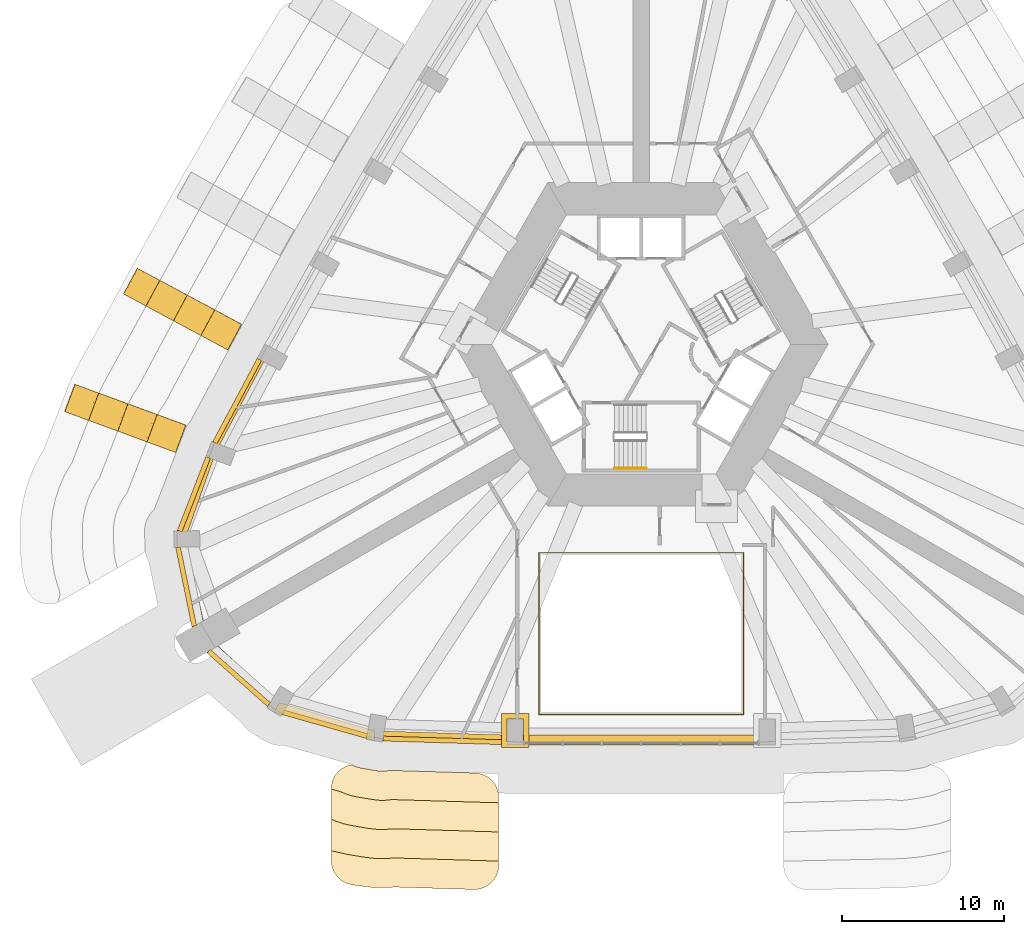
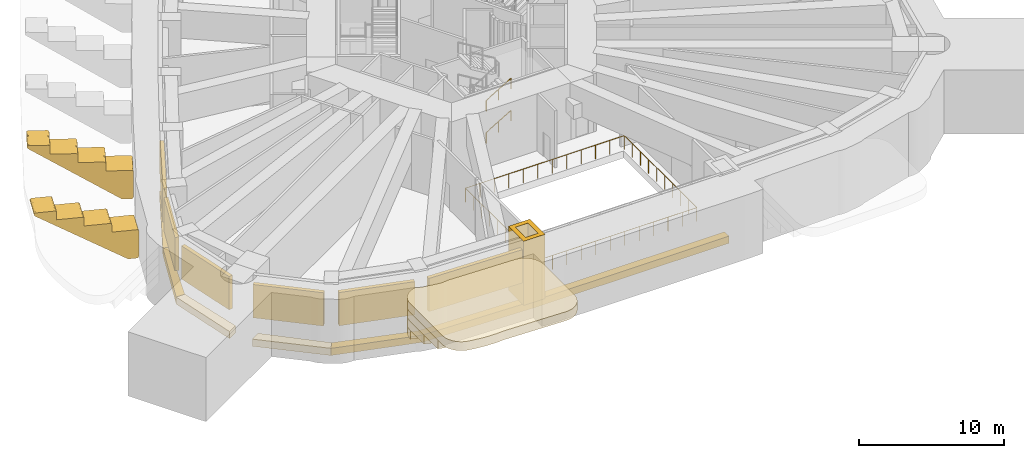
# One storey, part 11 of 16: 14 coverings, 6 shading devices, 3 railings.
"""IFC4 building model written with IfcOpenShell, lengths in metres."""

from ifc_helpers import new_model, si_unit, direction, frame, origin, origin_2d, place, context, subcontext, project, spatial, polyline, rectangle, circle, outline, extrude, material, layer, layer_set, type_object, element, save


model = new_model("IFC4")

# Units and contexts
model_context = context("Model", 3, precision=1e-05, world=origin(), true_north=direction((0.0, 1.0)))
body_context = subcontext(model_context, "Body", "Model", "MODEL_VIEW")
ifc_project = project(units=[si_unit("LENGTHUNIT", "METRE"), si_unit("AREAUNIT", "SQUARE_METRE"), si_unit("VOLUMEUNIT", "CUBIC_METRE"), si_unit("PLANEANGLEUNIT", "RADIAN"), si_unit("MASSUNIT", "GRAM", prefix="KILO")], contexts=[model_context])

# Site, building, storey
site_placement = place(None, origin())
site = spatial("IfcSite", under=ifc_project, at=site_placement, CompositionType="ELEMENT")
building_placement = place(site_placement, origin())
building = spatial("IfcBuilding", under=site, at=building_placement, Name="Entoto Arch Interchange Tower", CompositionType="ELEMENT")
storey_placement = place(building_placement, frame((0.0, 0.0, 281.0)))
storey = spatial("IfcBuildingStorey", under=building, at=storey_placement, Name="L65", CompositionType="ELEMENT", Elevation=281.0)

# Railing
ifc_material_1 = material(Name="Stainless steel 1.4301", Category="steel")
railing_type_1 = type_object("IfcRailingType", Name="ATRIUM GUARD 1200 STEEL AND GLASS", PredefinedType="GUARDRAIL", material=ifc_material_1)
railing_placement = place(storey_placement, frame((6.320068359375, -20.3740234375, 0.0)))
element("IfcRailing", 1, at=railing_placement, inside=storey, type_object=railing_type_1, Name="Atrium guard L65", PredefinedType="GUARDRAIL", context=body_context, shape_type="SweptSolid", body=[
    extrude(circle(Radius=0.02392578125, at=origin_2d()), frame((0.0, 0.0, 1.17578125), z_axis=(-1.0, 0.0, 0.0), x_axis=(0.0, -1.0, 0.0)), (0.0, 0.0, 1.0), 12.64013671875),
    extrude(circle(Radius=0.02392578125, at=origin_2d()), frame((-12.64013671875, 0.0, 1.17578125), z_axis=(0.0, 1.0, 0.0), x_axis=(-1.0, 0.0, 0.0)), (0.0, 0.0, 1.0), 9.994140625),
    extrude(circle(Radius=0.02392578125, at=origin_2d()), frame((-12.64013671875, 9.994140625, 1.17578125), z_axis=(1.0, 0.0, 0.0), x_axis=(0.0, 1.0, 0.0)), (0.0, 0.0, 1.0), 12.64013671875),
    extrude(circle(Radius=0.02392578125, at=origin_2d()), frame((0.0, 9.994140625, 1.17578125), z_axis=(0.0, -1.0, 0.0), x_axis=(1.0, 0.0, 0.0)), (0.0, 0.0, 1.0), 9.994140625),
    extrude(circle(Radius=0.02099609375, at=origin_2d()), origin(), (0.0, 0.0, 1.0), 1.15185546875),
    extrude(circle(Radius=0.02099609375, at=origin_2d()), frame((-1.149169921875, 0.0, 0.0)), (0.0, 0.0, 1.0), 1.15185546875),
    extrude(circle(Radius=0.02099609375, at=origin_2d()), frame((-2.298095703125, 0.0, 0.0)), (0.0, 0.0, 1.0), 1.15185546875),
    extrude(circle(Radius=0.02099609375, at=origin_2d()), frame((-3.447265625, 0.0, 0.0)), (0.0, 0.0, 1.0), 1.15185546875),
    extrude(circle(Radius=0.02099609375, at=origin_2d()), frame((-4.596435546875, 0.0, 0.0)), (0.0, 0.0, 1.0), 1.15185546875),
    extrude(circle(Radius=0.02099609375, at=origin_2d()), frame((-5.74560546875, 0.0, 0.0)), (0.0, 0.0, 1.0), 1.15185546875),
    extrude(circle(Radius=0.02099609375, at=origin_2d()), frame((-6.89453125, 0.0, 0.0)), (0.0, 0.0, 1.0), 1.15185546875),
    extrude(circle(Radius=0.02099609375, at=origin_2d()), frame((-8.043701171875, 0.0, 0.0)), (0.0, 0.0, 1.0), 1.15185546875),
    extrude(circle(Radius=0.02099609375, at=origin_2d()), frame((-9.19287109375, 0.0, 0.0)), (0.0, 0.0, 1.0), 1.15185546875),
    extrude(circle(Radius=0.02099609375, at=origin_2d()), frame((-10.342041015625, 0.0, 0.0)), (0.0, 0.0, 1.0), 1.15185546875),
    extrude(circle(Radius=0.02099609375, at=origin_2d()), frame((-11.490966796875, 0.0, 0.0)), (0.0, 0.0, 1.0), 1.15185546875),
    extrude(circle(Radius=0.02099609375, at=origin_2d()), frame((-12.64013671875, 0.0, 0.0)), (0.0, 0.0, 1.0), 1.15185546875),
    extrude(circle(Radius=0.02099609375, at=origin_2d()), frame((-12.64013671875, 1.1103515625, 0.0)), (0.0, 0.0, 1.0), 1.15185546875),
    extrude(circle(Radius=0.02099609375, at=origin_2d()), frame((-12.64013671875, 2.220947265625, 0.0)), (0.0, 0.0, 1.0), 1.15185546875),
    extrude(circle(Radius=0.02099609375, at=origin_2d()), frame((-12.64013671875, 3.331298828125, 0.0)), (0.0, 0.0, 1.0), 1.15185546875),
    extrude(circle(Radius=0.02099609375, at=origin_2d()), frame((-12.64013671875, 4.44189453125, 0.0)), (0.0, 0.0, 1.0), 1.15185546875),
    extrude(circle(Radius=0.02099609375, at=origin_2d()), frame((-12.64013671875, 5.55224609375, 0.0)), (0.0, 0.0, 1.0), 1.15185546875),
    extrude(circle(Radius=0.02099609375, at=origin_2d()), frame((-12.64013671875, 6.662841796875, 0.0)), (0.0, 0.0, 1.0), 1.15185546875),
    extrude(circle(Radius=0.02099609375, at=origin_2d()), frame((-12.64013671875, 7.773193359375, 0.0)), (0.0, 0.0, 1.0), 1.15185546875),
    extrude(circle(Radius=0.02099609375, at=origin_2d()), frame((-12.64013671875, 8.8837890625, 0.0)), (0.0, 0.0, 1.0), 1.15185546875),
    extrude(circle(Radius=0.02099609375, at=origin_2d()), frame((-12.64013671875, 9.994140625, 0.0)), (0.0, 0.0, 1.0), 1.15185546875),
    extrude(circle(Radius=0.02099609375, at=origin_2d()), frame((-11.490966796875, 9.994140625, 0.0)), (0.0, 0.0, 1.0), 1.15185546875),
    extrude(circle(Radius=0.02099609375, at=origin_2d()), frame((-10.342041015625, 9.994140625, 0.0)), (0.0, 0.0, 1.0), 1.15185546875),
    extrude(circle(Radius=0.02099609375, at=origin_2d()), frame((-9.19287109375, 9.994140625, 0.0)), (0.0, 0.0, 1.0), 1.15185546875),
    extrude(circle(Radius=0.02099609375, at=origin_2d()), frame((-8.043701171875, 9.994140625, 0.0)), (0.0, 0.0, 1.0), 1.15185546875),
    extrude(circle(Radius=0.02099609375, at=origin_2d()), frame((-6.89453125, 9.994140625, 0.0)), (0.0, 0.0, 1.0), 1.15185546875),
    extrude(circle(Radius=0.02099609375, at=origin_2d()), frame((-5.74560546875, 9.994140625, 0.0)), (0.0, 0.0, 1.0), 1.15185546875),
    extrude(circle(Radius=0.02099609375, at=origin_2d()), frame((-4.596435546875, 9.994140625, 0.0)), (0.0, 0.0, 1.0), 1.15185546875),
    extrude(circle(Radius=0.02099609375, at=origin_2d()), frame((-3.447265625, 9.994140625, 0.0)), (0.0, 0.0, 1.0), 1.15185546875),
    extrude(circle(Radius=0.02099609375, at=origin_2d()), frame((-2.298095703125, 9.994140625, 0.0)), (0.0, 0.0, 1.0), 1.15185546875),
    extrude(circle(Radius=0.02099609375, at=origin_2d()), frame((-1.149169921875, 9.994140625, 0.0)), (0.0, 0.0, 1.0), 1.15185546875),
    extrude(circle(Radius=0.02099609375, at=origin_2d()), frame((0.0, 9.994140625, 0.0)), (0.0, 0.0, 1.0), 1.15185546875),
    extrude(circle(Radius=0.02099609375, at=origin_2d()), frame((0.0, 8.8837890625, 0.0)), (0.0, 0.0, 1.0), 1.15185546875),
    extrude(circle(Radius=0.02099609375, at=origin_2d()), frame((0.0, 7.773193359375, 0.0)), (0.0, 0.0, 1.0), 1.15185546875),
    extrude(circle(Radius=0.02099609375, at=origin_2d()), frame((0.0, 6.662841796875, 0.0)), (0.0, 0.0, 1.0), 1.15185546875),
    extrude(circle(Radius=0.02099609375, at=origin_2d()), frame((0.0, 5.55224609375, 0.0)), (0.0, 0.0, 1.0), 1.15185546875),
    extrude(circle(Radius=0.02099609375, at=origin_2d()), frame((0.0, 4.44189453125, 0.0)), (0.0, 0.0, 1.0), 1.15185546875),
    extrude(circle(Radius=0.02099609375, at=origin_2d()), frame((0.0, 3.331298828125, 0.0)), (0.0, 0.0, 1.0), 1.15185546875),
    extrude(circle(Radius=0.02099609375, at=origin_2d()), frame((0.0, 2.220947265625, 0.0)), (0.0, 0.0, 1.0), 1.15185546875),
    extrude(circle(Radius=0.02099609375, at=origin_2d()), frame((0.0, 1.1103515625, 0.0)), (0.0, 0.0, 1.0), 1.15185546875),
])

# Shading devices
ifc_material_2 = material(Name="Aluminium, anodised", Category="aluminium")
ifc_layer = layer(ifc_material_2, 0.300048828125)
ifc_layer_set = layer_set([ifc_layer], Name="Aluminium, anodised")
shading_device_type = type_object("IfcShadingDeviceType", Name="PLANT LOUVRE ALUMINIUM", PredefinedType="JALOUSIE", material=ifc_layer_set)
shading_device_1_placement = place(storey_placement, frame((-12.123046875, -21.972900390625, 1.2001953125), z_axis=(0.0, 0.0, 1.0), x_axis=(0.999541022965, -0.030294280171, 0.0)))
element("IfcShadingDevice", 2, at=shading_device_1_placement, inside=storey, type_object=shading_device_type, Name="Plant louvre S-01 L65", PredefinedType="JALOUSIE", context=body_context, shape_type="SweptSolid", body=[
    extrude(rectangle(XDim=7.658935546875, YDim=0.300048828125, at=origin_2d()), origin(), (0.0, 0.0, 1.0), 2.800048828125),
])
shading_device_2_placement = place(storey_placement, frame((-24.9609375, -1.008056640625, 1.2001953125), z_axis=(0.0, 0.0, 1.0), x_axis=(-0.470780924807, -0.882250146408, 0.0)))
element("IfcShadingDevice", 3, at=shading_device_2_placement, inside=storey, type_object=shading_device_type, Name="Plant louvre NW-05 L65", PredefinedType="JALOUSIE", context=body_context, shape_type="SweptSolid", body=[
    extrude(rectangle(XDim=5.8330078125, YDim=0.300048828125, at=origin_2d()), origin(), (0.0, 0.0, 1.0), 2.800048828125),
])
shading_device_3_placement = place(storey_placement, frame((-27.6298828125, -6.763916015625, 1.2001953125), z_axis=(0.0, 0.0, 1.0), x_axis=(-0.360257323855, -0.932852968376, 0.0)))
element("IfcShadingDevice", 4, at=shading_device_3_placement, inside=storey, type_object=shading_device_type, Name="Plant louvre SW-01 L65", PredefinedType="JALOUSIE", context=body_context, shape_type="SweptSolid", body=[
    extrude(rectangle(XDim=4.8740234375, YDim=0.300048828125, at=origin_2d()), origin(), (0.0, 0.0, 1.0), 2.800048828125),
])
shading_device_4_placement = place(storey_placement, frame((-28.112060546875, -12.471923828125, 1.2001953125), z_axis=(0.0, 0.0, 1.0), x_axis=(0.20090694995, -0.979610329397, 0.0)))
element("IfcShadingDevice", 5, at=shading_device_4_placement, inside=storey, type_object=shading_device_type, Name="Plant louvre SW-02 L65", PredefinedType="JALOUSIE", context=body_context, shape_type="SweptSolid", body=[
    extrude(rectangle(XDim=4.967041015625, YDim=0.300048828125, at=origin_2d()), origin(), (0.0, 0.0, 1.0), 2.800048828125),
])
shading_device_5_placement = place(storey_placement, frame((-24.85693359375, -18.110107421875, 1.2001953125), z_axis=(0.0, 0.0, 1.0), x_axis=(0.747937126477, -0.663769579626, 0.0)))
element("IfcShadingDevice", 6, at=shading_device_5_placement, inside=storey, type_object=shading_device_type, Name="Plant louvre SW-03 L65", PredefinedType="JALOUSIE", context=body_context, shape_type="SweptSolid", body=[
    extrude(rectangle(XDim=4.966064453125, YDim=0.300048828125, at=origin_2d()), origin(), (0.0, 0.0, 1.0), 2.800048828125),
])
shading_device_6_placement = place(storey_placement, frame((-19.529052734375, -20.969970703125, 1.2001953125), z_axis=(0.0, 0.0, 1.0), x_axis=(0.961989550929, -0.273086257259, 0.0)))
element("IfcShadingDevice", 7, at=shading_device_6_placement, inside=storey, type_object=shading_device_type, Name="Plant louvre SW-04 L65", PredefinedType="JALOUSIE", context=body_context, shape_type="SweptSolid", body=[
    extrude(rectangle(XDim=5.386962890625, YDim=0.300048828125, at=origin_2d()), origin(), (0.0, 0.0, 1.0), 2.800048828125),
])

# Coverings
ifc_material_3 = material(Name="Board-marked precast concrete C50/60", Category="concrete")
covering_type_1 = type_object("IfcCoveringType", Name="PRECAST FRAME COURSE", PredefinedType="CLADDING", material=ifc_material_3)
covering_1_placement = place(storey_placement, frame((0.0, 0.0, 4.050048828125)))
element("IfcCovering", 8, at=covering_1_placement, inside=storey, type_object=covering_type_1, Name="Cantilever cornice L65 1", PredefinedType="CLADDING", context=body_context, shape_type="SweptSolid", body=[
    extrude(outline(polyline([(-9.695068359375, -24.10693359375), (-9.56591796875, -24.172119140625), (-9.443115234375, -24.2490234375), (-9.3291015625, -24.3369140625), (-9.222900390625, -24.43505859375), (-9.1279296875, -24.5439453125), (-9.04296875, -24.660888671875), (-8.969970703125, -24.784912109375), (-8.909912109375, -24.916015625), (-8.862060546875, -25.052001953125), (-8.827880859375, -25.193115234375), (-8.806884765625, -25.3359375), (-8.800048828125, -25.47998046875), (-8.800048828125, -29.681884765625), (-8.80810546875, -29.83203125), (-8.830078125, -29.97998046875), (-8.866943359375, -30.125), (-8.9189453125, -30.26611328125), (-8.98388671875, -30.40087890625), (-9.06201171875, -30.529052734375), (-9.153076171875, -30.64892578125), (-9.256103515625, -30.758056640625), (-9.367919921875, -30.85693359375), (-9.489990234375, -30.944091796875), (-9.62109375, -31.01904296875), (-9.758056640625, -31.080078125), (-9.89990234375, -31.126953125), (-10.0458984375, -31.159912109375), (-10.195068359375, -31.177978515625), (-10.344970703125, -31.180908203125), (-15.15087890625, -31.034912109375), (-15.198974609375, -31.033935546875), (-15.239990234375, -31.032958984375), (-15.280029296875, -31.035888671875), (-15.656982421875, -31.06494140625), (-15.803955078125, -31.069091796875), (-16.135986328125, -31.06298828125), (-16.5400390625, -31.053955078125), (-16.68603515625, -31.0439453125), (-17.4541015625, -30.951904296875), (-17.527099609375, -30.94189453125), (-17.89599609375, -30.87890625), (-18.04296875, -30.846923828125), (-18.18603515625, -30.800048828125), (-18.322998046875, -30.739013671875), (-18.4541015625, -30.6640625), (-18.575927734375, -30.576904296875), (-18.68896484375, -30.47802734375), (-18.7919921875, -30.367919921875), (-18.883056640625, -30.2490234375), (-18.9609375, -30.12109375), (-19.027099609375, -29.986083984375), (-19.077880859375, -29.844970703125), (-19.115966796875, -29.698974609375), (-19.137939453125, -29.550048828125), (-19.14599609375, -29.39990234375), (-19.14599609375, -24.951904296875), (-19.137939453125, -24.802001953125), (-19.115966796875, -24.653076171875), (-19.077880859375, -24.507080078125), (-19.02587890625, -24.365966796875), (-18.9609375, -24.22998046875), (-18.882080078125, -24.10205078125), (-18.7900390625, -23.98193359375), (-18.68701171875, -23.873046875), (-18.573974609375, -23.77392578125), (-18.450927734375, -23.68603515625), (-18.320068359375, -23.612060546875), (-18.18310546875, -23.551025390625), (-18.0390625, -23.5048828125), (-17.89208984375, -23.471923828125), (-17.87109375, -23.468994140625), (-17.89892578125, -23.458984375), (-17.863037109375, -23.468994140625), (-17.77587890625, -23.51904296875), (-17.614013671875, -23.589111328125), (-17.446044921875, -23.64404296875), (-17.27392578125, -23.681884765625), (-16.2880859375, -23.84912109375), (-16.112060546875, -23.8701171875), (-15.93603515625, -23.8740234375), (-15.760009765625, -23.860107421875), (-15.5859375, -23.8291015625), (-15.552978515625, -23.820068359375), (-10.2548828125, -23.97998046875), (-10.111083984375, -23.991943359375), (-9.968017578125, -24.01708984375), (-9.8291015625, -24.055908203125), (-9.695068359375, -24.10693359375)])), origin(), (0.0, 0.0, 1.0), 0.75),
])
covering_2_placement = place(storey_placement, frame((0.0, 0.0, 3.300048828125)))
element("IfcCovering", 9, at=covering_2_placement, inside=storey, type_object=covering_type_1, Name="Cantilever cornice L65 2", PredefinedType="CLADDING", context=body_context, shape_type="SweptSolid", body=[
    extrude(outline(polyline([(-9.695068359375, -24.10693359375), (-9.56591796875, -24.172119140625), (-9.443115234375, -24.2490234375), (-9.3291015625, -24.3369140625), (-9.222900390625, -24.43505859375), (-9.1279296875, -24.5439453125), (-9.04296875, -24.660888671875), (-8.969970703125, -24.784912109375), (-8.909912109375, -24.916015625), (-8.862060546875, -25.052001953125), (-8.827880859375, -25.193115234375), (-8.806884765625, -25.3359375), (-8.800048828125, -25.47998046875), (-8.800048828125, -29.427001953125), (-15.261962890625, -29.23095703125), (-15.781982421875, -29.27197265625), (-16.488037109375, -29.257080078125), (-17.18994140625, -29.173095703125), (-18.176025390625, -29.006103515625), (-19.008056640625, -28.81396484375), (-19.14599609375, -28.77294921875), (-19.14599609375, -24.951904296875), (-19.137939453125, -24.802001953125), (-19.115966796875, -24.653076171875), (-19.077880859375, -24.507080078125), (-19.02587890625, -24.365966796875), (-18.9609375, -24.22998046875), (-18.882080078125, -24.10205078125), (-18.7900390625, -23.98193359375), (-18.68701171875, -23.873046875), (-18.573974609375, -23.77392578125), (-18.450927734375, -23.68603515625), (-18.320068359375, -23.612060546875), (-18.18310546875, -23.551025390625), (-18.0390625, -23.5048828125), (-17.89208984375, -23.471923828125), (-17.87109375, -23.468994140625), (-17.89892578125, -23.458984375), (-17.863037109375, -23.468994140625), (-17.77587890625, -23.51904296875), (-17.614013671875, -23.589111328125), (-17.446044921875, -23.64404296875), (-17.27392578125, -23.681884765625), (-16.2880859375, -23.84912109375), (-16.112060546875, -23.8701171875), (-15.93603515625, -23.8740234375), (-15.760009765625, -23.860107421875), (-15.5859375, -23.8291015625), (-15.552978515625, -23.820068359375), (-10.2548828125, -23.97998046875), (-10.2548828125, -23.97998046875), (-10.111083984375, -23.991943359375), (-9.968017578125, -24.01708984375), (-9.8291015625, -24.055908203125), (-9.695068359375, -24.10693359375)])), origin(), (0.0, 0.0, 1.0), 0.75),
])
covering_3_placement = place(storey_placement, frame((0.0, 0.0, 2.550048828125)))
element("IfcCovering", 10, at=covering_3_placement, inside=storey, type_object=covering_type_1, Name="Cantilever cornice L65 3", PredefinedType="CLADDING", context=body_context, shape_type="SweptSolid", body=[
    extrude(outline(polyline([(-9.695068359375, -24.10693359375), (-9.56591796875, -24.172119140625), (-9.443115234375, -24.2490234375), (-9.3291015625, -24.3369140625), (-9.222900390625, -24.43505859375), (-9.1279296875, -24.5439453125), (-9.04296875, -24.660888671875), (-8.969970703125, -24.784912109375), (-8.909912109375, -24.916015625), (-8.862060546875, -25.052001953125), (-8.827880859375, -25.193115234375), (-8.806884765625, -25.3359375), (-8.800048828125, -25.47998046875), (-8.800048828125, -27.6259765625), (-15.2939453125, -27.428955078125), (-15.304931640625, -27.430908203125), (-15.8330078125, -27.471923828125), (-16.363037109375, -27.4609375), (-16.888916015625, -27.39892578125), (-17.875, -27.23193359375), (-18.39208984375, -27.117919921875), (-18.89599609375, -26.952880859375), (-19.1220703125, -26.85400390625), (-19.14599609375, -26.847900390625), (-19.14599609375, -24.951904296875), (-19.137939453125, -24.802001953125), (-19.115966796875, -24.653076171875), (-19.077880859375, -24.507080078125), (-19.02587890625, -24.365966796875), (-18.9609375, -24.22998046875), (-18.882080078125, -24.10205078125), (-18.7900390625, -23.98193359375), (-18.68701171875, -23.873046875), (-18.573974609375, -23.77392578125), (-18.450927734375, -23.68603515625), (-18.320068359375, -23.612060546875), (-18.18310546875, -23.551025390625), (-18.0390625, -23.5048828125), (-17.89208984375, -23.471923828125), (-17.87109375, -23.468994140625), (-17.89892578125, -23.458984375), (-17.863037109375, -23.468994140625), (-17.77587890625, -23.51904296875), (-17.614013671875, -23.589111328125), (-17.446044921875, -23.64404296875), (-17.27392578125, -23.681884765625), (-16.2880859375, -23.84912109375), (-16.112060546875, -23.8701171875), (-15.93603515625, -23.8740234375), (-15.760009765625, -23.860107421875), (-15.5859375, -23.8291015625), (-15.552978515625, -23.820068359375), (-10.2548828125, -23.97998046875), (-10.2548828125, -23.97998046875), (-10.111083984375, -23.991943359375), (-9.968017578125, -24.01708984375), (-9.8291015625, -24.055908203125), (-9.695068359375, -24.10693359375)])), origin(), (0.0, 0.0, 1.0), 0.75),
])
covering_4_placement = place(storey_placement, frame((0.0, 0.0, 1.800048828125)))
element("IfcCovering", 11, at=covering_4_placement, inside=storey, type_object=covering_type_1, Name="Cantilever cornice L65 4", PredefinedType="CLADDING", context=body_context, shape_type="SweptSolid", body=[
    extrude(outline(polyline([(-9.695068359375, -24.10693359375), (-9.56591796875, -24.172119140625), (-9.443115234375, -24.2490234375), (-9.3291015625, -24.3369140625), (-9.222900390625, -24.43505859375), (-9.1279296875, -24.5439453125), (-9.04296875, -24.660888671875), (-8.969970703125, -24.784912109375), (-8.909912109375, -24.916015625), (-8.862060546875, -25.052001953125), (-8.827880859375, -25.193115234375), (-8.806884765625, -25.3359375), (-8.800048828125, -25.47998046875), (-8.800048828125, -25.824951171875), (-15.4150390625, -25.625), (-15.531982421875, -25.64599609375), (-15.884033203125, -25.673095703125), (-16.238037109375, -25.666015625), (-16.587890625, -25.6240234375), (-17.573974609375, -25.45703125), (-17.9189453125, -25.381103515625), (-18.2548828125, -25.27099609375), (-18.528076171875, -25.152099609375), (-19.14599609375, -24.97607421875), (-19.14599609375, -24.951904296875), (-19.137939453125, -24.802001953125), (-19.115966796875, -24.653076171875), (-19.077880859375, -24.507080078125), (-19.02587890625, -24.365966796875), (-18.9609375, -24.22998046875), (-18.882080078125, -24.10205078125), (-18.7900390625, -23.98193359375), (-18.68701171875, -23.873046875), (-18.573974609375, -23.77392578125), (-18.450927734375, -23.68603515625), (-18.320068359375, -23.612060546875), (-18.18310546875, -23.551025390625), (-18.0390625, -23.5048828125), (-17.89208984375, -23.471923828125), (-17.87109375, -23.468994140625), (-17.89892578125, -23.458984375), (-17.863037109375, -23.468994140625), (-17.77587890625, -23.51904296875), (-17.614013671875, -23.589111328125), (-17.446044921875, -23.64404296875), (-17.27392578125, -23.681884765625), (-16.2880859375, -23.84912109375), (-16.112060546875, -23.8701171875), (-15.93603515625, -23.8740234375), (-15.760009765625, -23.860107421875), (-15.5859375, -23.8291015625), (-15.552978515625, -23.820068359375), (-10.2548828125, -23.97998046875), (-10.2548828125, -23.97998046875), (-10.111083984375, -23.991943359375), (-9.968017578125, -24.01708984375), (-9.8291015625, -24.055908203125), (-9.695068359375, -24.10693359375)])), origin(), (0.0, 0.0, 1.0), 0.75),
])
covering_5_placement = place(storey_placement, frame((-25.39599609375, 4.1259765625, -0.573974609375), z_axis=(0.473882519342, 0.880583793256, 0.00274607294), x_axis=(0.796219299059, -0.427145965738, -0.428463711135)))
element("IfcCovering", 12, at=covering_5_placement, inside=storey, type_object=covering_type_1, Name="Fold rib NW05 L65", PredefinedType="CLADDING", context=body_context, shape_type="SweptSolid", body=[
    extrude(outline(polyline([(0.0, 0.0), (0.0444514667711991, 3.469446951953614e-18), (0.08677817852158456, -0.01223682820732798), (0.6332453134686357, -0.2724512852946066), (0.6678325126110056, -0.2999293062346932), (0.6918545717613213, -0.3369902145912363), (0.7044766870062141, -0.37945195580547636), (0.7042336355876256, -0.42256971561054385), (0.6919329397682654, -0.465374072235917), (-0.2081151962383705, -2.362565268475768), (-0.23296552496927458, -2.3996877492330997), (-0.25463204468773404, -2.419136018002608), (-0.2795095408591495, -2.434087255064706), (-0.3217650519081112, -2.4470159370681848), (-0.3660504849795482, -2.4470910015021534), (-0.4077643856597186, -2.434063622991614), (-1.9848493692606102, -1.6862141471390917), (-2.2482936558378817, -2.2419250618440225), (-2.26588089196951, -2.265737997252282), (-2.299978909971698, -2.2925307258487506), (-2.3410533718189934, -2.3097999727858243), (-2.384741567551062, -2.3144815176402442), (-2.4136525912623235, -2.309689092637831), (-2.441651700046501, -2.29965473377197), (-4.045390421858585, -1.5391654887710922), (-4.309251843168022, -2.094675985566696), (-4.327616637208888, -2.118121611183895), (-4.360519962569673, -2.1454820674807507), (-4.401295751256617, -2.1628932463429216), (-4.446060178058274, -2.1670655494811832), (-4.474089360177256, -2.162690538747163), (-4.501894079484124, -2.1527480073290675), (-6.105632801296208, -1.3922587623281895), (-6.370466169992192, -1.9473101218849673), (-6.38805340612382, -1.9711230572932275), (-6.421373866216771, -1.9982830956807565), (-6.462149654903716, -2.015694274542927), (-6.506719692228064, -2.0199584051289534), (-6.534943263824355, -2.0154915669471674), (-6.562852266814264, -2.005498931051741), (-7.7243197786029745, -1.4547344892989873), (-7.748940694126212, -1.4398148966887625), (-7.780032203581382, -1.4083222247337712), (-7.795164531897339, -1.3835812019060088), (-7.807906073859602, -1.341873071452766), (-7.809561602321269, -1.312445658821011), (-7.8054209837277915, -1.2833371485146463), (-7.795498717683128, -1.2548098579418494), (-7.780211082755223, -1.2301738890183236), (-7.76107001766586, -1.2081783688524883), (-7.736773116204893, -1.1907860581264877), (-7.7104463964739685, -1.1778728307445587), (-7.682072894128984, -1.1713333945481748), (0.0, 0.0)])), origin(), (0.0, 0.0, -1.0), 1.800048828125),
])
covering_6_placement = place(storey_placement, frame((-28.85595703125, -2.220947265625, -0.574951171875), z_axis=(0.346811826948, 0.937929501512, 0.003131594334), x_axis=(0.853372210552, -0.314156672924, -0.416006556577)))
element("IfcCovering", 13, at=covering_6_placement, inside=storey, type_object=covering_type_1, Name="Fold rib NW06 L65", PredefinedType="CLADDING", context=body_context, shape_type="SweptSolid", body=[
    extrude(outline(polyline([(0.0, 0.0), (0.04342401758047621, 0.0), (0.08604957386998277, -0.011713450291266098), (0.6033930322466798, -0.24945676165987088), (0.6378673873611009, -0.27623586880326423), (0.6623618785189517, -0.31294705062890527), (0.6755464416182939, -0.3552216819703048), (0.6760277386222454, -0.39839932398965083), (0.6635683583642689, -0.4410237703915202), (-0.20994209724869894, -2.350580353460708), (-0.2339390145282586, -2.3881968243088547), (-0.2549569943368055, -2.4081123077021735), (-0.2802964348778282, -2.4231025496545784), (-0.3215565080885969, -2.4369810304370123), (-0.3663517977897136, -2.437429850808477), (-0.40864779608278856, -2.4247924812553907), (-1.9948117165940336, -1.699164030747193), (-2.2511782639983293, -2.2581726518740957), (-2.269086549857669, -2.2819294335722584), (-2.3025700710734127, -2.3093007846966893), (-2.3424451341703527, -2.3275711582706133), (-2.386891913258462, -2.332475813913926), (-2.4154725026811743, -2.328259154579052), (-2.4437953314121987, -2.3185250905187944), (-4.057161762246809, -1.5804499618664156), (-4.31426323014941, -2.139126988409104), (-4.331129801884541, -2.163358868997622), (-4.3649201167261875, -2.190586715815912), (-4.4058368939473365, -2.2083819904994804), (-4.449241958911236, -2.2137617450331484), (-4.477822548333949, -2.2095450856982746), (-4.506145377064973, -2.199811021638017), (-6.119413357098522, -1.461784377513708), (-6.3766132758021845, -2.020412919528326), (-6.393688190362157, -2.0445497803387735), (-6.426886670346583, -2.0720520273178105), (-6.468110241193635, -2.0897037976952384), (-6.511592004564012, -2.0950476761523706), (-6.5409075144850295, -2.0904994222332824), (-6.568188629091845, -2.0812404570633802), (-7.734646566510637, -1.54761677928221), (-7.76083865045012, -1.5324109518041031), (-7.792116692930485, -1.5014573252798553), (-7.813443744349228, -1.4632435633019258), (-7.820318365075581, -1.4345916428215273), (-7.822611663054047, -1.4061570957517633), (-7.8183212291650435, -1.3761716453947765), (-7.809250351527398, -1.3483735992114925), (-7.79425053729279, -1.323555086666658), (-7.774774971611721, -1.3015900106844889), (-7.751254776581351, -1.2836243013231265), (-7.725491334443534, -1.2701726769926815), (-7.696079090112547, -1.262686545209755), (0.0, 0.0)])), origin(), (0.0, 0.0, -1.0), 1.800048828125),
])
covering_7_placement = place(storey_placement, frame((0.0, 0.0, -0.60009765625)))
element("IfcCovering", 14, at=covering_7_placement, inside=storey, type_object=covering_type_1, Name="Gate pier L65", PredefinedType="CLADDING", context=body_context, shape_type="SweptSolid", body=[
    extrude(outline(polyline([(-8.634033203125, -20.303955078125), (-6.93408203125, -20.303955078125), (-6.93408203125, -22.404052734375), (-8.634033203125, -22.404052734375), (-8.634033203125, -20.303955078125)]), holes=[polyline([(-8.283935546875, -20.654052734375), (-8.283935546875, -22.053955078125), (-7.283935546875, -22.053955078125), (-7.283935546875, -20.654052734375), (-8.283935546875, -20.654052734375)])]), origin(), (0.0, 0.0, 1.0), 5.400146484375),
])
covering_type_2 = type_object("IfcCoveringType", Name="PRECAST LEDGE COURSE", PredefinedType="CLADDING", material=ifc_material_3)
covering_8_placement = place(storey_placement, frame((0.0, 0.0, -1.199951171875)))
element("IfcCovering", 15, at=covering_8_placement, inside=storey, type_object=covering_type_2, Name="Precast course S-01 L65", PredefinedType="CLADDING", context=body_context, shape_type="SweptSolid", body=[
    extrude(outline(polyline([(-7.800048828125, -21.64990234375), (-7.800048828125, -22.25390625), (-16.47998046875, -21.990966796875), (-16.47998046875, -21.3740234375), (-7.800048828125, -21.64990234375)])), origin(), (0.0, 0.0, 1.0), 0.599853515625),
])
covering_9_placement = place(storey_placement, frame((0.0, 0.0, -1.199951171875)))
element("IfcCovering", 16, at=covering_9_placement, inside=storey, type_object=covering_type_2, Name="Precast course S-02 L65", PredefinedType="CLADDING", context=body_context, shape_type="SweptSolid", body=[
    extrude(outline(polyline([(7.800048828125, -21.64990234375), (7.800048828125, -22.25390625), (-7.800048828125, -22.25390625), (-7.800048828125, -21.64990234375), (7.800048828125, -21.64990234375)])), origin(), (0.0, 0.0, 1.0), 0.599853515625),
])
covering_10_placement = place(storey_placement, frame((0.0, 0.0, -1.199951171875)))
element("IfcCovering", 17, at=covering_10_placement, inside=storey, type_object=covering_type_2, Name="Precast course NW-05 L65", PredefinedType="CLADDING", context=body_context, shape_type="SweptSolid", body=[
    extrude(outline(polyline([(-26.27294921875, -4.135986328125), (-26.712890625, -3.972900390625), (-23.485107421875, 2.075927734375), (-23.083984375, 1.860107421875), (-26.27294921875, -4.135986328125)])), origin(), (0.0, 0.0, 1.0), 0.599853515625),
])
covering_11_placement = place(storey_placement, frame((0.0, 0.0, -1.199951171875)))
element("IfcCovering", 18, at=covering_11_placement, inside=storey, type_object=covering_type_2, Name="Precast course SW-01 L65", PredefinedType="CLADDING", context=body_context, shape_type="SweptSolid", body=[
    extrude(outline(polyline([(-28.174072265625, -9.529052734375), (-28.864990234375, -9.5458984375), (-26.712890625, -3.972900390625), (-26.27294921875, -4.135986328125), (-28.174072265625, -9.529052734375)])), origin(), (0.0, 0.0, 1.0), 0.599853515625),
])
covering_12_placement = place(storey_placement, frame((0.0, 0.0, -1.199951171875)))
element("IfcCovering", 19, at=covering_12_placement, inside=storey, type_object=covering_type_2, Name="Precast course SW-02 L65", PredefinedType="CLADDING", context=body_context, shape_type="SweptSolid", body=[
    extrude(outline(polyline([(-27.0419921875, -14.573974609375), (-27.75, -14.98291015625), (-28.864990234375, -9.5458984375), (-28.174072265625, -9.529052734375), (-27.0419921875, -14.573974609375)])), origin(), (0.0, 0.0, 1.0), 0.599853515625),
])
covering_13_placement = place(storey_placement, frame((0.0, 0.0, -1.199951171875)))
element("IfcCovering", 20, at=covering_13_placement, inside=storey, type_object=covering_type_2, Name="Precast course SW-03 L65", PredefinedType="CLADDING", context=body_context, shape_type="SweptSolid", body=[
    extrude(outline(polyline([(-22.340087890625, -19.635009765625), (-22.699951171875, -20.22509765625), (-26.85107421875, -16.5419921875), (-26.14208984375, -16.133056640625), (-22.340087890625, -19.635009765625)])), origin(), (0.0, 0.0, 1.0), 0.599853515625),
])
covering_14_placement = place(storey_placement, frame((0.0, 0.0, -1.199951171875)))
element("IfcCovering", 21, at=covering_14_placement, inside=storey, type_object=covering_type_2, Name="Precast course SW-04 L65", PredefinedType="CLADDING", context=body_context, shape_type="SweptSolid", body=[
    extrude(outline(polyline([(-16.47998046875, -21.3740234375), (-16.47998046875, -21.990966796875), (-22.699951171875, -20.22509765625), (-22.340087890625, -19.635009765625), (-16.47998046875, -21.3740234375)])), origin(), (0.0, 0.0, 1.0), 0.599853515625),
])

# Railings
railing_type_2 = type_object("IfcRailingType", Name="STAIR HANDRAIL 900 STEEL", PredefinedType="HANDRAIL", material=ifc_material_1)
for number, where, name in (
    (22, (-1.64990234375, -5.14990234375, 0.168701171875), "L65 ST-S stair handrail 1"),
    (23, (-1.64990234375, -5.14990234375, 2.86865234375), "L65 ST-S stair handrail 3"),
):
    element("IfcRailing", number, at=place(storey_placement, frame(where)), inside=storey, type_object=railing_type_2, Name=name, PredefinedType="HANDRAIL", context=body_context, shape_type="SweptSolid", body=[
        extrude(circle(Radius=0.02392578125, at=origin_2d()), frame((0.0, 0.0, 0.8759765625), z_axis=(0.856446297458, 0.0, 0.516236127728), x_axis=(0.0, 1.0, 0.0)), (0.0, 0.0, 1.0), 2.28857421875),
        extrude(circle(Radius=0.02099609375, at=origin_2d()), origin(), (0.0, 0.0, 1.0), 0.851806640625),
        extrude(circle(Radius=0.02099609375, at=origin_2d()), frame((0.97998046875, 0.0, 0.5908203125)), (0.0, 0.0, 1.0), 0.851806640625),
        extrude(circle(Radius=0.02099609375, at=origin_2d()), frame((1.9599609375, 0.0, 1.181396484375)), (0.0, 0.0, 1.0), 0.851806640625),
    ])

save(model, "model.ifc")
